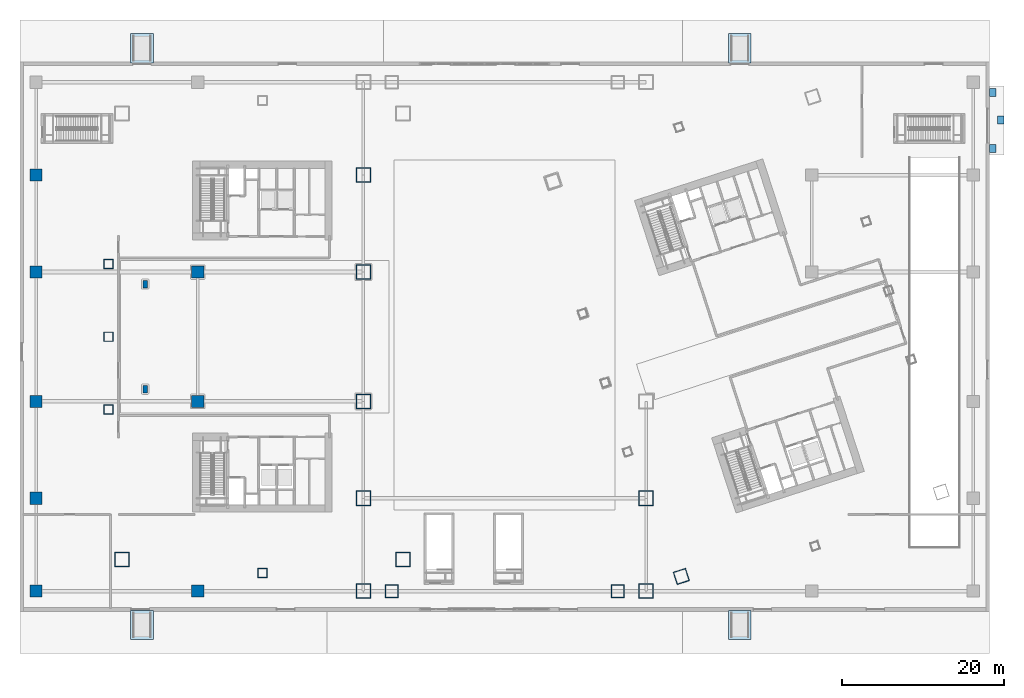
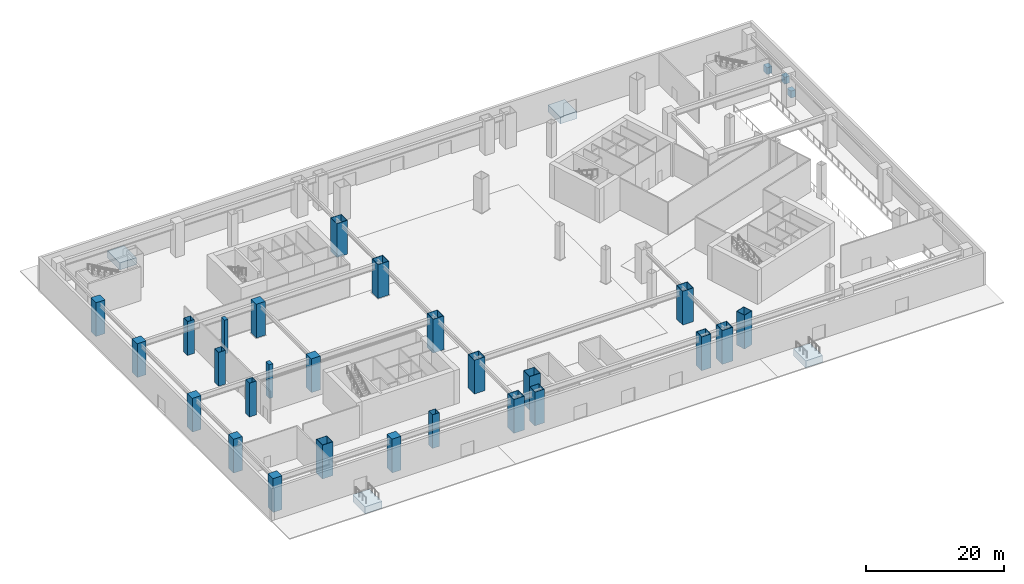
# One storey, part 1 of 31: 26 columns, 7 footings.
"""IFC4 building model written with IfcOpenShell, lengths in metres."""

from ifc_helpers import new_model, si_unit, direction, frame, origin, origin_2d, place, context, subcontext, project, spatial, polyline, rectangle, hollow_rectangle, outline, extrude, material, material_profile, profile_set, type_object, element, save


model = new_model("IFC4")

# Units and contexts
model_context = context("Model", 3, precision=1e-05, world=origin(), true_north=direction((0.0, 1.0)))
body_context = subcontext(model_context, "Body", "Model", "MODEL_VIEW")
ifc_project = project(units=[si_unit("LENGTHUNIT", "METRE"), si_unit("AREAUNIT", "SQUARE_METRE"), si_unit("VOLUMEUNIT", "CUBIC_METRE"), si_unit("PLANEANGLEUNIT", "RADIAN"), si_unit("MASSUNIT", "GRAM", prefix="KILO")], contexts=[model_context])

# Site, building, storey
site_placement = place(None, origin())
site = spatial("IfcSite", under=ifc_project, at=site_placement, CompositionType="ELEMENT")
building_placement = place(site_placement, origin())
building = spatial("IfcBuilding", under=site, at=building_placement, Name="Qiaolan Cultural Towers", CompositionType="ELEMENT")
storey_placement = place(building_placement, origin())
storey = spatial("IfcBuildingStorey", under=building, at=storey_placement, Name="L00", CompositionType="ELEMENT", Elevation=0.0)

# Footings
ifc_material_1 = material(Name="Concrete C45", Category="concrete")
footing_type = type_object("IfcFootingType", Name="FT-POD-PAD", PredefinedType="PAD_FOOTING", material=ifc_material_1)
footing_1_placement = place(storey_placement, frame((0.0, 0.0, -1.39990234375)))
element("IfcFooting", 1, at=footing_1_placement, inside=storey, type_object=footing_type, Name="Accessible Ramp Foundation Pad FT-AR-1", PredefinedType="PAD_FOOTING", context=body_context, shape_type="SweptSolid", body=[
    extrude(outline(polyline([(13.699951171875, -3.5), (16.5, -3.5), (16.5, 0.10009765625), (13.699951171875, 0.10009765625), (13.699951171875, -3.5)])), origin(), (0.0, 0.0, 1.0), 1.219970703125),
])
footing_2_placement = place(storey_placement, frame((0.0, 0.0, -1.39990234375)))
element("IfcFooting", 2, at=footing_2_placement, inside=storey, type_object=footing_type, Name="Accessible Ramp Foundation Pad FT-AR-2", PredefinedType="PAD_FOOTING", context=body_context, shape_type="SweptSolid", body=[
    extrude(outline(polyline([(87.699951171875, -3.5), (90.5, -3.5), (90.5, 0.10009765625), (87.699951171875, 0.10009765625), (87.699951171875, -3.5)])), origin(), (0.0, 0.0, 1.0), 1.219970703125),
])
footing_3_placement = place(storey_placement, frame((0.0, 0.0, -1.39990234375)))
element("IfcFooting", 3, at=footing_3_placement, inside=storey, type_object=footing_type, Name="Accessible Ramp Foundation Pad FT-AR-3", PredefinedType="PAD_FOOTING", context=body_context, shape_type="SweptSolid", body=[
    extrude(outline(polyline([(13.699951171875, 67.89990234375), (16.5, 67.89990234375), (16.5, 71.5), (13.699951171875, 71.5), (13.699951171875, 67.89990234375)])), origin(), (0.0, 0.0, 1.0), 1.219970703125),
])
footing_4_placement = place(storey_placement, frame((0.0, 0.0, -1.39990234375)))
element("IfcFooting", 4, at=footing_4_placement, inside=storey, type_object=footing_type, Name="Accessible Ramp Foundation Pad FT-AR-4", PredefinedType="PAD_FOOTING", context=body_context, shape_type="SweptSolid", body=[
    extrude(outline(polyline([(87.699951171875, 67.89990234375), (90.5, 67.89990234375), (90.5, 71.5), (87.699951171875, 71.5), (87.699951171875, 67.89990234375)])), origin(), (0.0, 0.0, 1.0), 1.219970703125),
])
footing_5_placement = place(storey_placement, frame((0.0, 0.0, -1.39990234375)))
element("IfcFooting", 5, at=footing_5_placement, inside=storey, type_object=footing_type, Name="Ramp Apron Grade Pad FT-APR-1", PredefinedType="PAD_FOOTING", context=body_context, shape_type="SweptSolid", body=[
    extrude(outline(polyline([(120.0, 56.800048828125), (120.800048828125, 56.800048828125), (120.800048828125, 57.800048828125), (120.0, 57.800048828125), (120.0, 56.800048828125)])), origin(), (0.0, 0.0, 1.0), 1.219970703125),
])
footing_6_placement = place(storey_placement, frame((0.0, 0.0, -1.39990234375)))
element("IfcFooting", 6, at=footing_6_placement, inside=storey, type_object=footing_type, Name="Ramp Apron Grade Pad FT-APR-2", PredefinedType="PAD_FOOTING", context=body_context, shape_type="SweptSolid", body=[
    extrude(outline(polyline([(121.0, 60.300048828125), (121.800048828125, 60.300048828125), (121.800048828125, 61.300048828125), (121.0, 61.300048828125), (121.0, 60.300048828125)])), origin(), (0.0, 0.0, 1.0), 1.219970703125),
])
footing_7_placement = place(storey_placement, frame((0.0, 0.0, -1.39990234375)))
element("IfcFooting", 7, at=footing_7_placement, inside=storey, type_object=footing_type, Name="Ramp Apron Grade Pad FT-APR-3", PredefinedType="PAD_FOOTING", context=body_context, shape_type="SweptSolid", body=[
    extrude(outline(polyline([(120.0, 63.699951171875), (120.800048828125, 63.699951171875), (120.800048828125, 64.699951171875), (120.0, 64.699951171875), (120.0, 63.699951171875)])), origin(), (0.0, 0.0, 1.0), 1.219970703125),
])

# Columns
ifc_material_2 = material(Name="Steel Q390GJB", Category="steel")
ifc_material_profile_1 = material_profile(ifc_material_2, hollow_rectangle(XDim=1.14990234375, YDim=1.14990234375, WallThickness=0.0400390625, at=origin_2d()), Name="BOX1150x1150x40")
ifc_profile_set_1 = profile_set([ifc_material_profile_1], Name="Steel Q390GJB")
column_type_1 = type_object("IfcColumnType", Name="COL-BOX1150x1150x40", PredefinedType="COLUMN", material=ifc_profile_set_1)
for number, where, z_axis, x_axis, name in (
    (8, (10.949951171875, 25.0, 0.0), (0.0, 0.0, 1.0), (1.0, 0.0, 0.0), "L00 T1 Column PC-W1"),
    (9, (10.949951171875, 34.0, 0.0), (0.0, 0.0, 1.0), (1.0, 0.0, 0.0), "L00 T1 Column PC-W2"),
    (10, (10.949951171875, 43.0, 0.0), (0.0, 0.0, 1.0), (1.0, 0.0, 0.0), "L00 T1 Column PC-W3"),
    (11, (30.0, 4.75, 0.0), (0.0, 0.0, 1.0), (1.0, 0.0, 0.0), "L00 T1 Column PC-S0"),
):
    element("IfcColumn", number, at=place(storey_placement, frame(where, z_axis=z_axis, x_axis=x_axis)), inside=storey, type_object=column_type_1, Name=name, PredefinedType="COLUMN", context=body_context, shape_type="SweptSolid", body=[
        extrude(hollow_rectangle(XDim=1.14990234375, YDim=1.14990234375, WallThickness=0.0400390625, at=origin_2d()), origin(), (0.0, 0.0, 1.0), 6.0009765625),
    ])
ifc_material_3 = material(Name="Steel Q420GJB", Category="steel")
ifc_material_profile_2 = material_profile(ifc_material_3, hollow_rectangle(XDim=1.60009765625, YDim=1.60009765625, WallThickness=0.054931640625, at=origin_2d()), Name="BOX1600x1600x55")
ifc_profile_set_2 = profile_set([ifc_material_profile_2], Name="Steel Q420GJB")
column_type_2 = type_object("IfcColumnType", Name="COL-BOX1600x1600x55", PredefinedType="COLUMN", material=ifc_profile_set_2)
for number, where, z_axis, x_axis, name in (
    (12, (46.0, 2.5, 0.0), (0.0, 0.0, 1.0), (1.0, 0.0, 0.0), "L00 Podium Column PC-MID-46-2"),
    (13, (74.0, 2.5, 0.0), (0.0, 0.0, 1.0), (1.0, 0.0, 0.0), "L00 Podium Column PC-MID-74-2"),
    (14, (81.862548828125, 4.32275390625, 0.0), (0.0, 0.0, 1.0), (0.951056516295, 0.309016994375, 0.0), "L00 T2 Column MC-SW"),
):
    element("IfcColumn", number, at=place(storey_placement, frame(where, z_axis=z_axis, x_axis=x_axis)), inside=storey, type_object=column_type_2, Name=name, PredefinedType="COLUMN", context=body_context, shape_type="SweptSolid", body=[
        extrude(hollow_rectangle(XDim=1.60009765625, YDim=1.60009765625, WallThickness=0.054931640625, at=origin_2d()), origin(), (0.0, 0.0, 1.0), 6.0009765625),
    ])
ifc_material_4 = material(Name="Steel Q420GJB", Category="steel")
ifc_material_profile_3 = material_profile(ifc_material_4, hollow_rectangle(XDim=1.800048828125, YDim=1.800048828125, WallThickness=0.06005859375, at=origin_2d()), Name="BOX1800x1800x60")
ifc_profile_set_3 = profile_set([ifc_material_profile_3], Name="Steel Q420GJB")
column_type_3 = type_object("IfcColumnType", Name="COL-BOX1800x1800x60", PredefinedType="COLUMN", material=ifc_profile_set_3)
for number, where, z_axis, x_axis, name in (
    (15, (42.5, 2.5, 0.0), (0.0, 0.0, 1.0), (1.0, 0.0, 0.0), "L00 Podium Column PC-42-2"),
    (16, (42.5, 14.0, 0.0), (0.0, 0.0, 1.0), (1.0, 0.0, 0.0), "L00 Podium Column PC-42-14"),
    (17, (42.5, 26.0, 0.0), (0.0, 0.0, 1.0), (1.0, 0.0, 0.0), "L00 Podium Column PC-42-26"),
    (18, (42.5, 42.0, 0.0), (0.0, 0.0, 1.0), (1.0, 0.0, 0.0), "L00 Podium Column PC-42-42"),
    (19, (42.5, 54.0, 0.0), (0.0, 0.0, 1.0), (1.0, 0.0, 0.0), "L00 Podium Column PC-42-54"),
    (20, (77.5, 2.5, 0.0), (0.0, 0.0, 1.0), (1.0, 0.0, 0.0), "L00 Podium Column PC-77-2"),
    (21, (77.5, 14.0, 0.0), (0.0, 0.0, 1.0), (1.0, 0.0, 0.0), "L00 Podium Column PC-77-14"),
    (22, (12.60009765625, 6.39990234375, 0.0), (0.0, 0.0, 1.0), (1.0, 0.0, 0.0), "L00 T1 Column MC-SW"),
    (23, (47.39990234375, 6.39990234375, 0.0), (0.0, 0.0, 1.0), (1.0, 0.0, 0.0), "L00 T1 Column MC-SE"),
):
    element("IfcColumn", number, at=place(storey_placement, frame(where, z_axis=z_axis, x_axis=x_axis)), inside=storey, type_object=column_type_3, Name=name, PredefinedType="COLUMN", context=body_context, shape_type="SweptSolid", body=[
        extrude(hollow_rectangle(XDim=1.800048828125, YDim=1.800048828125, WallThickness=0.06005859375, at=origin_2d()), origin(), (0.0, 0.0, 1.0), 6.0009765625),
    ])
ifc_material_5 = material(Name="Concrete C60", Category="concrete")
ifc_material_profile_4 = material_profile(ifc_material_5, rectangle(XDim=1.5, YDim=1.5, at=origin_2d()), Name="RC1500x1500")
ifc_profile_set_4 = profile_set([ifc_material_profile_4], Name="Concrete C60")
column_type_4 = type_object("IfcColumnType", Name="COL-RC1500x1500", PredefinedType="COLUMN", material=ifc_profile_set_4)
for number, where, z_axis, x_axis, name in (
    (24, (2.0, 2.5, 0.0), (0.0, 0.0, 1.0), (1.0, 0.0, 0.0), "L00 Podium Column PC-2-2"),
    (25, (2.0, 14.0, 0.0), (0.0, 0.0, 1.0), (1.0, 0.0, 0.0), "L00 Podium Column PC-2-14"),
    (26, (2.0, 26.0, 0.0), (0.0, 0.0, 1.0), (1.0, 0.0, 0.0), "L00 Podium Column PC-2-26"),
    (27, (2.0, 42.0, 0.0), (0.0, 0.0, 1.0), (1.0, 0.0, 0.0), "L00 Podium Column PC-2-42"),
    (28, (2.0, 54.0, 0.0), (0.0, 0.0, 1.0), (1.0, 0.0, 0.0), "L00 Podium Column PC-2-54"),
    (29, (22.0, 2.5, 0.0), (0.0, 0.0, 1.0), (1.0, 0.0, 0.0), "L00 Podium Column PC-22-2"),
    (30, (22.0, 26.0, 0.0), (0.0, 0.0, 1.0), (1.0, 0.0, 0.0), "L00 Podium Column PC-22-26"),
    (31, (22.0, 42.0, 0.0), (0.0, 0.0, 1.0), (1.0, 0.0, 0.0), "L00 Podium Column PC-22-42"),
):
    element("IfcColumn", number, at=place(storey_placement, frame(where, z_axis=z_axis, x_axis=x_axis)), inside=storey, type_object=column_type_4, Name=name, PredefinedType="COLUMN", context=body_context, shape_type="SweptSolid", body=[
        extrude(rectangle(XDim=1.5, YDim=1.5, at=origin_2d()), origin(), (0.0, 0.0, 1.0), 6.0009765625),
    ])
ifc_material_6 = material(Name="Concrete C50", Category="concrete")
ifc_material_profile_5 = material_profile(ifc_material_6, rectangle(XDim=0.60009765625, YDim=0.949951171875, at=origin_2d()), Name="RC600x950")
ifc_profile_set_5 = profile_set([ifc_material_profile_5], Name="Concrete C50")
column_type_5 = type_object("IfcColumnType", Name="COL-RC600x950", PredefinedType="PILASTER", material=ifc_profile_set_5)
for number, where, z_axis, x_axis, name in (
    (32, (15.5, 27.5, 0.0), (0.0, 0.0, 1.0), (1.0, 0.0, 0.0), "L00 Museum Gallery Structural Pilaster 1"),
    (33, (15.5, 40.5, 0.0), (0.0, 0.0, 1.0), (1.0, 0.0, 0.0), "L00 Museum Gallery Structural Pilaster 2"),
):
    element("IfcColumn", number, at=place(storey_placement, frame(where, z_axis=z_axis, x_axis=x_axis)), inside=storey, type_object=column_type_5, Name=name, PredefinedType="PILASTER", context=body_context, shape_type="SweptSolid", body=[
        extrude(rectangle(XDim=0.60009765625, YDim=0.949951171875, at=origin_2d()), origin(), (0.0, 0.0, 1.0), 6.0009765625),
    ])

save(model, "model.ifc")
